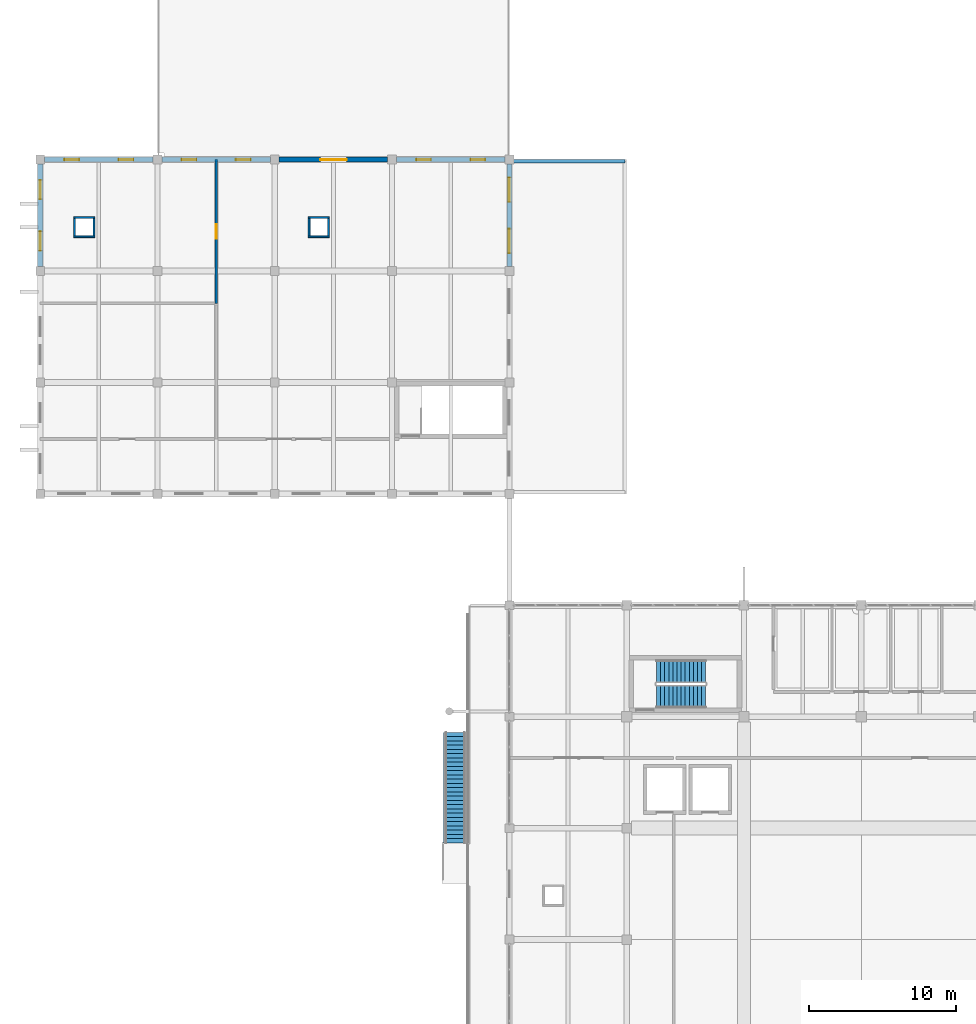
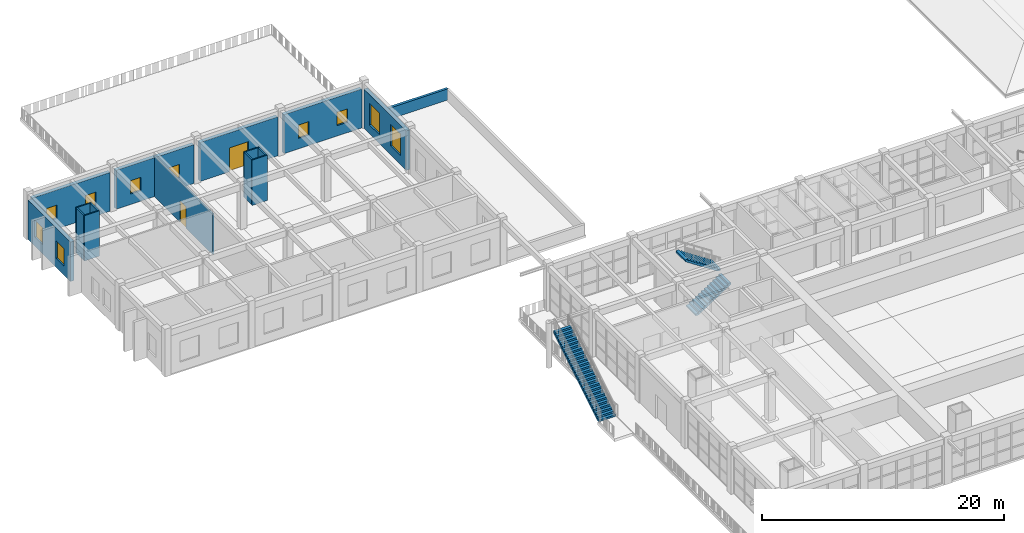
# One storey, part 39 of 50: 16 walls, 10 windows, 3 stair flights, 2 doors, 12 openings, 2 elements without a shape of their own.
"""IFC4 building model written with IfcOpenShell, lengths in metres."""

from ifc_helpers import new_model, si_unit, direction, frame, frame_2d, origin, place, context, subcontext, project, spatial, polyline, rectangle, outline, extrude, material, layer, layer_set, type_object, element, fill, aggregate, save


model = new_model("IFC4")

# Units and contexts
model_context = context("Model", 3, precision=1e-05, world=origin(), true_north=direction((0.0, 1.0)))
body_context = subcontext(model_context, "Body", "Model", "MODEL_VIEW")
ifc_project = project(units=[si_unit("LENGTHUNIT", "METRE"), si_unit("AREAUNIT", "SQUARE_METRE"), si_unit("VOLUMEUNIT", "CUBIC_METRE"), si_unit("PLANEANGLEUNIT", "RADIAN"), si_unit("MASSUNIT", "GRAM", prefix="KILO")], contexts=[model_context])

# Site, building, storey
site_placement = place(None, origin())
site = spatial("IfcSite", under=ifc_project, at=site_placement, CompositionType="ELEMENT")
building_placement = place(site_placement, origin())
building = spatial("IfcBuilding", under=site, at=building_placement, Name="Zantavel Square City Hall", CompositionType="ELEMENT")
storey_placement = place(building_placement, frame((0.0, 0.0, 18.89990234375)))
storey = spatial("IfcBuildingStorey", under=building, at=storey_placement, Name="L05", CompositionType="ELEMENT", Elevation=18.89990234375)

# Wall
ifc_material_1 = material(Name="Cantera volcanic tuff stone", Category="masonry")
ifc_layer_1 = layer(ifc_material_1, 0.239990234375, Name="Cantera volcanic tuff stone")
ifc_layer_set_1 = layer_set([ifc_layer_1], Name="Cantera volcanic tuff stone")
wall_type_1 = type_object("IfcWallType", Name="Cantera Wing Roof Parapet 240mm", PredefinedType="PARAPET", material=ifc_layer_set_1)
wall_1_placement = place(storey_placement, frame((56.1201171875, 98.679931640625, 0.0), z_axis=(0.0, 0.0, 1.0), x_axis=(1.0, 0.0, 0.0)))
element("IfcWall", 1, at=wall_1_placement, inside=storey, type_object=wall_type_1, Name="L05 Roof Parapet Wall 15", PredefinedType="PARAPET", context=body_context, shape_type="SweptSolid", body=[
    extrude(rectangle(XDim=7.759765625, YDim=0.239990234375, at=frame_2d((3.8798828125, 0.0))), origin(), (0.0, 0.0, 1.0), 1.1201171875),
])

# Wall, openings, windows
ifc_layer_2 = layer(ifc_material_1, 0.360107421875, Name="Cantera volcanic tuff stone")
ifc_layer_set_2 = layer_set([ifc_layer_2], Name="Cantera volcanic tuff stone")
wall_type_2 = type_object("IfcWallType", Name="Courtyard Cantera Facade Wall 360mm", PredefinedType="STANDARD", material=ifc_layer_set_2)
wall_2_placement = place(storey_placement, frame((56.0, 98.5, 0.0), z_axis=(0.0, 0.0, 1.0), x_axis=(0.0, -1.0, 0.0)))
wall_2 = element("IfcWall", 2, at=wall_2_placement, inside=storey, type_object=wall_type_2, Name="L05 Exterior Wall EW-L05-027", PredefinedType="STANDARD", context=body_context, shape_type="SweptSolid", body=[
    extrude(rectangle(XDim=7.0, YDim=0.360107421875, at=frame_2d((3.5, 0.0))), origin(), (0.0, 0.0, 1.0), 3.97021484375),
])
opening_1_placement = place(wall_2_placement, frame((0.925048828125, 0.0, 0.89990234375)))
opening_1 = element("IfcOpeningElement", 3, at=opening_1_placement, cuts=wall_2, Name="Opening W-508", PredefinedType="OPENING", context=body_context, shape_type="SweptSolid", body=[
    extrude(rectangle(XDim=1.64990234375, YDim=2.199951171875, at=frame_2d((0.824951171875, 1.10009765625))), frame((0.0, 0.18994140625, 0.0), z_axis=(0.0, -1.0, 0.0), x_axis=(1.0, 0.0, 0.0)), (0.0, 0.0, 1.0), 0.380126953125),
])
opening_2_placement = place(wall_2_placement, frame((4.425048828125, 0.0, 0.89990234375)))
opening_2 = element("IfcOpeningElement", 4, at=opening_2_placement, cuts=wall_2, Name="Opening W-509", PredefinedType="OPENING", context=body_context, shape_type="SweptSolid", body=[
    extrude(rectangle(XDim=1.64990234375, YDim=2.199951171875, at=frame_2d((0.824951171875, 1.10009765625))), frame((0.0, 0.18994140625, 0.0), z_axis=(0.0, -1.0, 0.0), x_axis=(1.0, 0.0, 0.0)), (0.0, 0.0, 1.0), 0.380126953125),
])
ifc_material_2 = material(Name="Tempered safety glass low-E double glazing", Category="glass")
window_type_1 = type_object("IfcWindowType", Name="Window Council Lounge 1650x2200", PartitioningType="DOUBLE_PANEL_VERTICAL", PredefinedType="WINDOW", material=ifc_material_2)
window_1_placement = place(opening_1_placement, origin())
window_1 = element("IfcWindow", 5, at=window_1_placement, inside=storey, type_object=window_type_1, Name="L05 Window W-508", OverallHeight=2.199951171875, OverallWidth=1.64990234375, PartitioningType="DOUBLE_PANEL_VERTICAL", PredefinedType="WINDOW", context=body_context, shape_type="SweptSolid", body=[
    extrude(rectangle(XDim=1.64990234375, YDim=2.199951171875, at=frame_2d((0.824951171875, 1.10009765625))), frame((0.0, 0.030029296875, 0.0), z_axis=(0.0, -1.0, 0.0), x_axis=(1.0, 0.0, 0.0)), (0.0, 0.0, 1.0), 0.06005859375),
])
fill(opening_1, window_1)
window_2_placement = place(opening_2_placement, origin())
window_2 = element("IfcWindow", 6, at=window_2_placement, inside=storey, type_object=window_type_1, Name="L05 Window W-509", OverallHeight=2.199951171875, OverallWidth=1.64990234375, PartitioningType="DOUBLE_PANEL_VERTICAL", PredefinedType="WINDOW", context=body_context, shape_type="SweptSolid", body=[
    extrude(rectangle(XDim=1.64990234375, YDim=2.199951171875, at=frame_2d((0.824951171875, 1.10009765625))), frame((0.0, 0.030029296875, 0.0), z_axis=(0.0, -1.0, 0.0), x_axis=(1.0, 0.0, 0.0)), (0.0, 0.0, 1.0), 0.06005859375),
])
fill(opening_2, window_2)

wall_3_placement = place(storey_placement, frame((24.0, 91.5, 0.0), z_axis=(0.0, 0.0, 1.0), x_axis=(0.0, 1.0, 0.0)))
wall_3 = element("IfcWall", 7, at=wall_3_placement, inside=storey, type_object=wall_type_2, Name="L05 Exterior Wall EW-L05-036", PredefinedType="STANDARD", context=body_context, shape_type="SweptSolid", body=[
    extrude(rectangle(XDim=7.0, YDim=0.360107421875, at=frame_2d((3.5, 0.0))), origin(), (0.0, 0.0, 1.0), 3.97021484375),
])
opening_3_placement = place(wall_3_placement, frame((1.10009765625, 0.0, 0.89990234375)))
opening_3 = element("IfcOpeningElement", 8, at=opening_3_placement, cuts=wall_3, Name="Opening W-526", PredefinedType="OPENING", context=body_context, shape_type="SweptSolid", body=[
    extrude(rectangle(XDim=1.300048828125, YDim=1.75, at=frame_2d((0.64990234375, 0.875))), frame((0.0, 0.18994140625, 0.0), z_axis=(0.0, -1.0, 0.0), x_axis=(1.0, 0.0, 0.0)), (0.0, 0.0, 1.0), 0.380126953125),
])
opening_4_placement = place(wall_3_placement, frame((4.60009765625, 0.0, 0.89990234375)))
opening_4 = element("IfcOpeningElement", 9, at=opening_4_placement, cuts=wall_3, Name="Opening W-527", PredefinedType="OPENING", context=body_context, shape_type="SweptSolid", body=[
    extrude(rectangle(XDim=1.300048828125, YDim=1.75, at=frame_2d((0.64990234375, 0.875))), frame((0.0, 0.18994140625, 0.0), z_axis=(0.0, -1.0, 0.0), x_axis=(1.0, 0.0, 0.0)), (0.0, 0.0, 1.0), 0.380126953125),
])
window_type_2 = type_object("IfcWindowType", Name="Window Social Welfare 1300x1750", PartitioningType="SINGLE_PANEL", PredefinedType="WINDOW", material=ifc_material_2)
window_3_placement = place(opening_3_placement, origin())
window_3 = element("IfcWindow", 10, at=window_3_placement, inside=storey, type_object=window_type_2, Name="L05 Window W-526", OverallHeight=1.75, OverallWidth=1.300048828125, PartitioningType="SINGLE_PANEL", PredefinedType="WINDOW", context=body_context, shape_type="SweptSolid", body=[
    extrude(rectangle(XDim=1.300048828125, YDim=1.75, at=frame_2d((0.64990234375, 0.875))), frame((0.0, 0.030029296875, 0.0), z_axis=(0.0, -1.0, 0.0), x_axis=(1.0, 0.0, 0.0)), (0.0, 0.0, 1.0), 0.06005859375),
])
fill(opening_3, window_3)
window_4_placement = place(opening_4_placement, origin())
window_4 = element("IfcWindow", 11, at=window_4_placement, inside=storey, type_object=window_type_2, Name="L05 Window W-527", OverallHeight=1.75, OverallWidth=1.300048828125, PartitioningType="SINGLE_PANEL", PredefinedType="WINDOW", context=body_context, shape_type="SweptSolid", body=[
    extrude(rectangle(XDim=1.300048828125, YDim=1.75, at=frame_2d((0.64990234375, 0.875))), frame((0.0, 0.030029296875, 0.0), z_axis=(0.0, -1.0, 0.0), x_axis=(1.0, 0.0, 0.0)), (0.0, 0.0, 1.0), 0.06005859375),
])
fill(opening_4, window_4)

# Wall, opening, door
ifc_material_3 = material(Name="Gypsum acoustic stud assembly", Category="masonry")
ifc_layer_3 = layer(ifc_material_3, 0.14990234375, Name="Gypsum acoustic stud assembly")
ifc_layer_set_3 = layer_set([ifc_layer_3], Name="Gypsum acoustic stud assembly")
wall_type_3 = type_object("IfcWallType", Name="Department Office Partition 150mm", PredefinedType="PARTITIONING", material=ifc_layer_set_3)
wall_4_placement = place(storey_placement, frame((36.0, 89.0, 0.0), z_axis=(0.0, 0.0, 1.0), x_axis=(0.0, 1.0, 0.0)))
wall_4 = element("IfcWall", 12, at=wall_4_placement, inside=storey, type_object=wall_type_3, Name="L05 Interior Wall IW-L05-0342", PredefinedType="PARTITIONING", context=body_context, shape_type="SweptSolid", body=[
    extrude(rectangle(XDim=9.800048828125, YDim=0.14990234375, at=frame_2d((4.89990234375, 0.0))), origin(), (0.0, 0.0, 1.0), 4.070068359375),
])
opening_5_placement = place(wall_4_placement, frame((4.39990234375, 0.0, 0.0)))
opening_5 = element("IfcOpeningElement", 13, at=opening_5_placement, cuts=wall_4, Name="Opening D-0169", PredefinedType="OPENING", context=body_context, shape_type="SweptSolid", body=[
    extrude(rectangle(XDim=1.0, YDim=2.14990234375, at=frame_2d((0.5, 1.074951171875))), frame((0.0, 0.0849609375, 0.0), z_axis=(0.0, -1.0, 0.0), x_axis=(1.0, 0.0, 0.0)), (0.0, 0.0, 1.0), 0.169921875),
])
ifc_material_4 = material(Name="Solid oak hardwood", Category="wood")
door_type_1 = type_object("IfcDoorType", Name="Suite Internal Oak Single Door 1000x2150", OperationType="NOTDEFINED", PredefinedType="DOOR", material=ifc_material_4)
door_1_placement = place(opening_5_placement, origin())
door_1 = element("IfcDoor", 14, at=door_1_placement, inside=storey, type_object=door_type_1, Name="L05 Staff Servery Kitchen Door", OperationType="SINGLE_SWING_LEFT", OverallHeight=2.14990234375, OverallWidth=1.0, PredefinedType="DOOR", context=body_context, shape_type="SweptSolid", body=[
    extrude(rectangle(XDim=1.0, YDim=2.14990234375, at=frame_2d((0.5, 1.074951171875))), frame((0.0, 0.02490234375, 0.0), z_axis=(0.0, -1.0, 0.0), x_axis=(1.0, 0.0, 0.0)), (0.0, 0.0, 1.0), 0.050048828125),
])
fill(opening_5, door_1)

ifc_layer_4 = layer(ifc_material_1, 0.340087890625, Name="Cantera volcanic tuff stone")
ifc_layer_set_4 = layer_set([ifc_layer_4], Name="Cantera volcanic tuff stone")
wall_type_4 = type_object("IfcWallType", Name="North Insulated Cantera Wall 340mm", PredefinedType="STANDARD", material=ifc_layer_set_4)
wall_5_placement = place(storey_placement, frame((40.300048828125, 98.800048828125, 0.0), z_axis=(0.0, 0.0, 1.0), x_axis=(1.0, 0.0, 0.0)))
wall_5 = element("IfcWall", 15, at=wall_5_placement, inside=storey, type_object=wall_type_4, Name="L05 Exterior Wall EW-L05-025", PredefinedType="STANDARD", context=body_context, shape_type="SweptSolid", body=[
    extrude(rectangle(XDim=7.39990234375, YDim=0.340087890625, at=frame_2d((3.699951171875, 0.0))), origin(), (0.0, 0.0, 1.0), 3.920166015625),
])
opening_6_placement = place(wall_5_placement, frame((2.800048828125, 0.0, 0.0)))
opening_6 = element("IfcOpeningElement", 16, at=opening_6_placement, cuts=wall_5, Name="Opening ED-034", PredefinedType="OPENING", context=body_context, shape_type="SweptSolid", body=[
    extrude(rectangle(XDim=1.800048828125, YDim=2.39990234375, at=frame_2d((0.89990234375, 1.199951171875))), frame((0.0, 0.179931640625, 0.0), z_axis=(0.0, -1.0, 0.0), x_axis=(1.0, 0.0, 0.0)), (0.0, 0.0, 1.0), 0.360107421875),
])
ifc_material_5 = material(Name="Anodised aluminium 6063-T6", Category="aluminium")
door_type_2 = type_object("IfcDoorType", Name="Tray Terrace Glazed Double Door 1800x2400", OperationType="NOTDEFINED", PredefinedType="DOOR", material=ifc_material_5)
door_2_placement = place(opening_6_placement, origin())
door_2 = element("IfcDoor", 17, at=door_2_placement, inside=storey, type_object=door_type_2, Name="L05 Staff Dining Outdoor Terrace Door", OperationType="DOUBLE_DOOR_SINGLE_SWING", OverallHeight=2.39990234375, OverallWidth=1.800048828125, PredefinedType="DOOR", context=body_context, shape_type="SweptSolid", body=[
    extrude(rectangle(XDim=1.800048828125, YDim=2.39990234375, at=frame_2d((0.89990234375, 1.199951171875))), frame((0.0, 0.02490234375, 0.0), z_axis=(0.0, -1.0, 0.0), x_axis=(1.0, 0.0, 0.0)), (0.0, 0.0, 1.0), 0.050048828125),
])
fill(opening_6, door_2)

# Wall, openings, windows
wall_6_placement = place(storey_placement, frame((48.300048828125, 98.800048828125, 0.0), z_axis=(0.0, 0.0, 1.0), x_axis=(1.0, 0.0, 0.0)))
wall_6 = element("IfcWall", 18, at=wall_6_placement, inside=storey, type_object=wall_type_4, Name="L05 Exterior Wall EW-L05-026", PredefinedType="STANDARD", context=body_context, shape_type="SweptSolid", body=[
    extrude(rectangle(XDim=7.39990234375, YDim=0.340087890625, at=frame_2d((3.699951171875, 0.0))), origin(), (0.0, 0.0, 1.0), 3.920166015625),
])
opening_7_placement = place(wall_6_placement, frame((1.35009765625, 0.0, 1.050048828125)))
opening_7 = element("IfcOpeningElement", 19, at=opening_7_placement, cuts=wall_6, Name="Opening W-506", PredefinedType="OPENING", context=body_context, shape_type="SweptSolid", body=[
    extrude(rectangle(XDim=1.0, YDim=1.35009765625, at=frame_2d((0.5, 0.675048828125))), frame((0.0, 0.179931640625, 0.0), z_axis=(0.0, -1.0, 0.0), x_axis=(1.0, 0.0, 0.0)), (0.0, 0.0, 1.0), 0.360107421875),
])
opening_8_placement = place(wall_6_placement, frame((5.050048828125, 0.0, 1.050048828125)))
opening_8 = element("IfcOpeningElement", 20, at=opening_8_placement, cuts=wall_6, Name="Opening W-507", PredefinedType="OPENING", context=body_context, shape_type="SweptSolid", body=[
    extrude(rectangle(XDim=1.0, YDim=1.35009765625, at=frame_2d((0.5, 0.675048828125))), frame((0.0, 0.179931640625, 0.0), z_axis=(0.0, -1.0, 0.0), x_axis=(1.0, 0.0, 0.0)), (0.0, 0.0, 1.0), 0.360107421875),
])
window_type_3 = type_object("IfcWindowType", Name="Window L05 North Compact 1000x1350", PartitioningType="SINGLE_PANEL", PredefinedType="WINDOW", material=ifc_material_2)
window_5_placement = place(opening_7_placement, origin())
window_5 = element("IfcWindow", 21, at=window_5_placement, inside=storey, type_object=window_type_3, Name="L05 Window W-506", OverallHeight=1.35009765625, OverallWidth=1.0, PartitioningType="SINGLE_PANEL", PredefinedType="WINDOW", context=body_context, shape_type="SweptSolid", body=[
    extrude(rectangle(XDim=1.0, YDim=1.35009765625, at=frame_2d((0.5, 0.675048828125))), frame((0.0, 0.030029296875, 0.0), z_axis=(0.0, -1.0, 0.0), x_axis=(1.0, 0.0, 0.0)), (0.0, 0.0, 1.0), 0.06005859375),
])
fill(opening_7, window_5)
window_6_placement = place(opening_8_placement, origin())
window_6 = element("IfcWindow", 22, at=window_6_placement, inside=storey, type_object=window_type_3, Name="L05 Window W-507", OverallHeight=1.35009765625, OverallWidth=1.0, PartitioningType="SINGLE_PANEL", PredefinedType="WINDOW", context=body_context, shape_type="SweptSolid", body=[
    extrude(rectangle(XDim=1.0, YDim=1.35009765625, at=frame_2d((0.5, 0.675048828125))), frame((0.0, 0.030029296875, 0.0), z_axis=(0.0, -1.0, 0.0), x_axis=(1.0, 0.0, 0.0)), (0.0, 0.0, 1.0), 0.06005859375),
])
fill(opening_8, window_6)

wall_7_placement = place(storey_placement, frame((24.300048828125, 98.800048828125, 0.0), z_axis=(0.0, 0.0, 1.0), x_axis=(1.0, 0.0, 0.0)))
wall_7 = element("IfcWall", 23, at=wall_7_placement, inside=storey, type_object=wall_type_4, Name="L05 Exterior Wall EW-L05-037", PredefinedType="STANDARD", context=body_context, shape_type="SweptSolid", body=[
    extrude(rectangle(XDim=7.39990234375, YDim=0.340087890625, at=frame_2d((3.699951171875, 0.0))), origin(), (0.0, 0.0, 1.0), 3.920166015625),
])
opening_9_placement = place(wall_7_placement, frame((1.35009765625, 0.0, 1.050048828125)))
opening_9 = element("IfcOpeningElement", 24, at=opening_9_placement, cuts=wall_7, Name="Opening W-528", PredefinedType="OPENING", context=body_context, shape_type="SweptSolid", body=[
    extrude(rectangle(XDim=1.0, YDim=1.35009765625, at=frame_2d((0.5, 0.675048828125))), frame((0.0, 0.179931640625, 0.0), z_axis=(0.0, -1.0, 0.0), x_axis=(1.0, 0.0, 0.0)), (0.0, 0.0, 1.0), 0.360107421875),
])
opening_10_placement = place(wall_7_placement, frame((5.050048828125, 0.0, 1.050048828125)))
opening_10 = element("IfcOpeningElement", 25, at=opening_10_placement, cuts=wall_7, Name="Opening W-529", PredefinedType="OPENING", context=body_context, shape_type="SweptSolid", body=[
    extrude(rectangle(XDim=1.0, YDim=1.35009765625, at=frame_2d((0.5, 0.675048828125))), frame((0.0, 0.179931640625, 0.0), z_axis=(0.0, -1.0, 0.0), x_axis=(1.0, 0.0, 0.0)), (0.0, 0.0, 1.0), 0.360107421875),
])
window_7_placement = place(opening_9_placement, origin())
window_7 = element("IfcWindow", 26, at=window_7_placement, inside=storey, type_object=window_type_3, Name="L05 Window W-528", OverallHeight=1.35009765625, OverallWidth=1.0, PartitioningType="SINGLE_PANEL", PredefinedType="WINDOW", context=body_context, shape_type="SweptSolid", body=[
    extrude(rectangle(XDim=1.0, YDim=1.35009765625, at=frame_2d((0.5, 0.675048828125))), frame((0.0, 0.030029296875, 0.0), z_axis=(0.0, -1.0, 0.0), x_axis=(1.0, 0.0, 0.0)), (0.0, 0.0, 1.0), 0.06005859375),
])
fill(opening_9, window_7)
window_8_placement = place(opening_10_placement, origin())
window_8 = element("IfcWindow", 27, at=window_8_placement, inside=storey, type_object=window_type_3, Name="L05 Window W-529", OverallHeight=1.35009765625, OverallWidth=1.0, PartitioningType="SINGLE_PANEL", PredefinedType="WINDOW", context=body_context, shape_type="SweptSolid", body=[
    extrude(rectangle(XDim=1.0, YDim=1.35009765625, at=frame_2d((0.5, 0.675048828125))), frame((0.0, 0.030029296875, 0.0), z_axis=(0.0, -1.0, 0.0), x_axis=(1.0, 0.0, 0.0)), (0.0, 0.0, 1.0), 0.06005859375),
])
fill(opening_10, window_8)

wall_8_placement = place(storey_placement, frame((32.300048828125, 98.800048828125, 0.0), z_axis=(0.0, 0.0, 1.0), x_axis=(1.0, 0.0, 0.0)))
wall_8 = element("IfcWall", 28, at=wall_8_placement, inside=storey, type_object=wall_type_4, Name="L05 Exterior Wall EW-L05-038", PredefinedType="STANDARD", context=body_context, shape_type="SweptSolid", body=[
    extrude(rectangle(XDim=7.39990234375, YDim=0.340087890625, at=frame_2d((3.699951171875, 0.0))), origin(), (0.0, 0.0, 1.0), 3.920166015625),
])
opening_11_placement = place(wall_8_placement, frame((1.35009765625, 0.0, 1.050048828125)))
opening_11 = element("IfcOpeningElement", 29, at=opening_11_placement, cuts=wall_8, Name="Opening W-530", PredefinedType="OPENING", context=body_context, shape_type="SweptSolid", body=[
    extrude(rectangle(XDim=1.0, YDim=1.35009765625, at=frame_2d((0.5, 0.675048828125))), frame((0.0, 0.179931640625, 0.0), z_axis=(0.0, -1.0, 0.0), x_axis=(1.0, 0.0, 0.0)), (0.0, 0.0, 1.0), 0.360107421875),
])
opening_12_placement = place(wall_8_placement, frame((5.050048828125, 0.0, 1.050048828125)))
opening_12 = element("IfcOpeningElement", 30, at=opening_12_placement, cuts=wall_8, Name="Opening W-531", PredefinedType="OPENING", context=body_context, shape_type="SweptSolid", body=[
    extrude(rectangle(XDim=1.0, YDim=1.35009765625, at=frame_2d((0.5, 0.675048828125))), frame((0.0, 0.179931640625, 0.0), z_axis=(0.0, -1.0, 0.0), x_axis=(1.0, 0.0, 0.0)), (0.0, 0.0, 1.0), 0.360107421875),
])
window_9_placement = place(opening_11_placement, origin())
window_9 = element("IfcWindow", 31, at=window_9_placement, inside=storey, type_object=window_type_3, Name="L05 Window W-530", OverallHeight=1.35009765625, OverallWidth=1.0, PartitioningType="SINGLE_PANEL", PredefinedType="WINDOW", context=body_context, shape_type="SweptSolid", body=[
    extrude(rectangle(XDim=1.0, YDim=1.35009765625, at=frame_2d((0.5, 0.675048828125))), frame((0.0, 0.030029296875, 0.0), z_axis=(0.0, -1.0, 0.0), x_axis=(1.0, 0.0, 0.0)), (0.0, 0.0, 1.0), 0.06005859375),
])
fill(opening_11, window_9)
window_10_placement = place(opening_12_placement, origin())
window_10 = element("IfcWindow", 32, at=window_10_placement, inside=storey, type_object=window_type_3, Name="L05 Window W-531", OverallHeight=1.35009765625, OverallWidth=1.0, PartitioningType="SINGLE_PANEL", PredefinedType="WINDOW", context=body_context, shape_type="SweptSolid", body=[
    extrude(rectangle(XDim=1.0, YDim=1.35009765625, at=frame_2d((0.5, 0.675048828125))), frame((0.0, 0.030029296875, 0.0), z_axis=(0.0, -1.0, 0.0), x_axis=(1.0, 0.0, 0.0)), (0.0, 0.0, 1.0), 0.06005859375),
])
fill(opening_12, window_10)

# Walls
ifc_material_6 = material(Name="Concrete C35/45", Category="concrete")
ifc_layer_5 = layer(ifc_material_6, 0.1201171875, Name="Concrete C35/45")
ifc_layer_set_5 = layer_set([ifc_layer_5], Name="Concrete C35/45")
wall_type_5 = type_object("IfcWallType", Name="Riser Chase Wall RC 120mm C35/45", PredefinedType="PARTITIONING", material=ifc_layer_set_5)
wall_9_placement = place(storey_placement, frame((27.719970703125, 93.5400390625, 0.0), z_axis=(0.0, 0.0, 1.0), x_axis=(-1.0, 0.0, 0.0)))
element("IfcWall", 33, at=wall_9_placement, inside=storey, type_object=wall_type_5, Name="L05 MEP Riser 06 Wall S", PredefinedType="PARTITIONING", context=body_context, shape_type="SweptSolid", body=[
    extrude(rectangle(XDim=1.43994140625, YDim=0.1201171875, at=frame_2d((0.719970703125, 0.0))), origin(), (0.0, 0.0, 1.0), 4.570068359375),
])
wall_10_placement = place(storey_placement, frame((26.340087890625, 93.60009765625, 0.0), z_axis=(0.0, 0.0, 1.0), x_axis=(0.0, 1.0, 0.0)))
element("IfcWall", 34, at=wall_10_placement, inside=storey, type_object=wall_type_5, Name="L05 MEP Riser 06 Wall W", PredefinedType="PARTITIONING", context=body_context, shape_type="SweptSolid", body=[
    extrude(rectangle(XDim=1.199951171875, YDim=0.1201171875, at=frame_2d((0.60009765625, 0.0))), origin(), (0.0, 0.0, 1.0), 4.570068359375),
])
wall_11_placement = place(storey_placement, frame((26.280029296875, 94.860107421875, 0.0), z_axis=(0.0, 0.0, 1.0), x_axis=(1.0, 0.0, 0.0)))
element("IfcWall", 35, at=wall_11_placement, inside=storey, type_object=wall_type_5, Name="L05 MEP Riser 06 Wall N", PredefinedType="PARTITIONING", context=body_context, shape_type="SweptSolid", body=[
    extrude(rectangle(XDim=1.43994140625, YDim=0.1201171875, at=frame_2d((0.719970703125, 0.0))), origin(), (0.0, 0.0, 1.0), 4.570068359375),
])
wall_12_placement = place(storey_placement, frame((27.659912109375, 94.800048828125, 0.0), z_axis=(0.0, 0.0, 1.0), x_axis=(0.0, -1.0, 0.0)))
element("IfcWall", 36, at=wall_12_placement, inside=storey, type_object=wall_type_5, Name="L05 MEP Riser 06 Wall E", PredefinedType="PARTITIONING", context=body_context, shape_type="SweptSolid", body=[
    extrude(rectangle(XDim=1.199951171875, YDim=0.1201171875, at=frame_2d((0.60009765625, 0.0))), origin(), (0.0, 0.0, 1.0), 4.570068359375),
])
wall_13_placement = place(storey_placement, frame((43.719970703125, 93.5400390625, 0.0), z_axis=(0.0, 0.0, 1.0), x_axis=(-1.0, 0.0, 0.0)))
element("IfcWall", 37, at=wall_13_placement, inside=storey, type_object=wall_type_5, Name="L05 MEP Riser 07 Wall S", PredefinedType="PARTITIONING", context=body_context, shape_type="SweptSolid", body=[
    extrude(rectangle(XDim=1.43994140625, YDim=0.1201171875, at=frame_2d((0.719970703125, 0.0))), origin(), (0.0, 0.0, 1.0), 4.570068359375),
])
wall_14_placement = place(storey_placement, frame((42.340087890625, 93.60009765625, 0.0), z_axis=(0.0, 0.0, 1.0), x_axis=(0.0, 1.0, 0.0)))
element("IfcWall", 38, at=wall_14_placement, inside=storey, type_object=wall_type_5, Name="L05 MEP Riser 07 Wall W", PredefinedType="PARTITIONING", context=body_context, shape_type="SweptSolid", body=[
    extrude(rectangle(XDim=1.199951171875, YDim=0.1201171875, at=frame_2d((0.60009765625, 0.0))), origin(), (0.0, 0.0, 1.0), 4.570068359375),
])
wall_15_placement = place(storey_placement, frame((42.280029296875, 94.860107421875, 0.0), z_axis=(0.0, 0.0, 1.0), x_axis=(1.0, 0.0, 0.0)))
element("IfcWall", 39, at=wall_15_placement, inside=storey, type_object=wall_type_5, Name="L05 MEP Riser 07 Wall N", PredefinedType="PARTITIONING", context=body_context, shape_type="SweptSolid", body=[
    extrude(rectangle(XDim=1.43994140625, YDim=0.1201171875, at=frame_2d((0.719970703125, 0.0))), origin(), (0.0, 0.0, 1.0), 4.570068359375),
])
wall_16_placement = place(storey_placement, frame((43.659912109375, 94.800048828125, 0.0), z_axis=(0.0, 0.0, 1.0), x_axis=(0.0, -1.0, 0.0)))
element("IfcWall", 40, at=wall_16_placement, inside=storey, type_object=wall_type_5, Name="L05 MEP Riser 07 Wall E", PredefinedType="PARTITIONING", context=body_context, shape_type="SweptSolid", body=[
    extrude(rectangle(XDim=1.199951171875, YDim=0.1201171875, at=frame_2d((0.60009765625, 0.0))), origin(), (0.0, 0.0, 1.0), 4.570068359375),
])

# Stair, stair flights
stair_type_1 = type_object("IfcStairType", Name="Enclosed Core Dogleg Stair L05 H4800", PredefinedType="HALF_TURN_STAIR", material=ifc_material_6)
stair_1_placement = place(storey_placement, origin())
stair_1 = element("IfcStair", 41, at=stair_1_placement, inside=storey, type_object=stair_type_1, Name="L05 Exit Stair 5 Central West Core", PredefinedType="HALF_TURN_STAIR")
stair_flight_type_1 = type_object("IfcStairFlightType", Name="Enclosed Core Stair Flight L05 W1560", PredefinedType="STRAIGHT", material=ifc_material_6)
stair_flight_1_placement = place(storey_placement, frame((66.030029296875, 62.179931640625, 0.0), z_axis=(0.0, 0.0, 1.0), x_axis=(1.0, 0.0, 0.0)))
stair_flight_1 = element("IfcStairFlight", 42, at=stair_flight_1_placement, type_object=stair_flight_type_1, Name="ST5 flight 1", NumberOfRisers=13, NumberOfTreads=12, PredefinedType="STRAIGHT", RiserHeight=0.184615385, TreadLength=0.28, context=body_context, shape_type="SweptSolid", body=[
    extrude(outline(polyline([(0.0, 0.0), (0.0, 0.1845703125), (0.280029296875, 0.1845703125), (0.280029296875, 0.369140625), (0.56005859375, 0.369140625), (0.56005859375, 0.553955078125), (0.840087890625, 0.553955078125), (0.840087890625, 0.738525390625), (1.1201171875, 0.738525390625), (1.1201171875, 0.923095703125), (1.39990234375, 0.923095703125), (1.39990234375, 1.107666015625), (1.679931640625, 1.107666015625), (1.679931640625, 1.292236328125), (1.9599609375, 1.292236328125), (1.9599609375, 1.476806640625), (2.239990234375, 1.476806640625), (2.239990234375, 1.66162109375), (2.52001953125, 1.66162109375), (2.52001953125, 1.84619140625), (2.800048828125, 1.84619140625), (2.800048828125, 2.03076171875), (3.080078125, 2.03076171875), (3.080078125, 2.21533203125), (3.360107421875, 2.21533203125), (3.360107421875, 2.39990234375), (3.360107421875, 2.035888671875), (0.272216796875, 0.0), (0.0, 0.0)])), frame((0.0, 0.780029296875, 0.0), z_axis=(0.0, -1.0, 0.0), x_axis=(1.0, 0.0, 0.0)), (0.0, 0.0, 1.0), 1.56005859375),
])
stair_flight_2_placement = place(storey_placement, frame((69.389892578125, 63.889892578125, 2.400146484375), z_axis=(0.0, 0.0, 1.0), x_axis=(-1.0, 0.0, 0.0)))
stair_flight_2 = element("IfcStairFlight", 43, at=stair_flight_2_placement, type_object=stair_flight_type_1, Name="ST5 flight 2", NumberOfRisers=13, NumberOfTreads=12, PredefinedType="STRAIGHT", RiserHeight=0.184615385, TreadLength=0.28, context=body_context, shape_type="SweptSolid", body=[
    extrude(outline(polyline([(0.0, 0.0), (0.0, 0.1845703125), (0.280029296875, 0.1845703125), (0.280029296875, 0.369140625), (0.56005859375, 0.369140625), (0.56005859375, 0.553955078125), (0.840087890625, 0.553955078125), (0.840087890625, 0.738525390625), (1.1201171875, 0.738525390625), (1.1201171875, 0.923095703125), (1.39990234375, 0.923095703125), (1.39990234375, 1.107666015625), (1.679931640625, 1.107666015625), (1.679931640625, 1.292236328125), (1.9599609375, 1.292236328125), (1.9599609375, 1.476806640625), (2.239990234375, 1.476806640625), (2.239990234375, 1.66162109375), (2.52001953125, 1.66162109375), (2.52001953125, 1.84619140625), (2.800048828125, 1.84619140625), (2.800048828125, 2.03076171875), (3.080078125, 2.03076171875), (3.080078125, 2.21533203125), (3.360107421875, 2.21533203125), (3.360107421875, 2.39990234375), (3.360107421875, 2.035888671875), (0.272216796875, 0.0), (0.0, 0.0)])), frame((0.0, 0.780029296875, 0.0), z_axis=(0.0, -1.0, 0.0), x_axis=(1.0, 0.0, 0.0)), (0.0, 0.0, 1.0), 1.56005859375),
])
aggregate(stair_1, [stair_flight_1, stair_flight_2])

# Stair, stair flight
ifc_material_7 = material(Name="Precast concrete C40/50", Category="concrete")
stair_type_2 = type_object("IfcStairType", Name="White Cantera Terrace Stair L05-L06 W1600", PredefinedType="STRAIGHT_RUN_STAIR", material=ifc_material_7)
stair_2_placement = place(storey_placement, origin())
stair_2 = element("IfcStair", 44, at=stair_2_placement, inside=storey, type_object=stair_type_2, Name="Outdoor Cantera Tray Terrace Stair ST-TR6", PredefinedType="STRAIGHT_RUN_STAIR")
stair_flight_type_2 = type_object("IfcStairFlightType", Name="White Cantera Terrace Stair Flight L05-L06 W1600", PredefinedType="STRAIGHT", material=ifc_material_7)
stair_flight_3_placement = place(storey_placement, frame((52.300048828125, 52.199951171875, 0.0), z_axis=(0.0, 0.0, 1.0), x_axis=(0.0, 1.0, 0.0)))
stair_flight_3 = element("IfcStairFlight", 45, at=stair_flight_3_placement, type_object=stair_flight_type_2, Name="Outdoor Terrace Stair ST-TR6 Flight", NumberOfRisers=27, NumberOfTreads=26, PredefinedType="STRAIGHT", RiserHeight=0.177778, TreadLength=0.29, context=body_context, shape_type="SweptSolid", body=[
    extrude(outline(polyline([(0.0, 0.0), (0.0, 0.177734375), (0.2900390625, 0.177734375), (0.2900390625, 0.35546875), (0.580078125, 0.35546875), (0.580078125, 0.533447265625), (0.8701171875, 0.533447265625), (0.8701171875, 0.711181640625), (1.159912109375, 0.711181640625), (1.159912109375, 0.888916015625), (1.449951171875, 0.888916015625), (1.449951171875, 1.066650390625), (1.739990234375, 1.066650390625), (1.739990234375, 1.244384765625), (2.030029296875, 1.244384765625), (2.030029296875, 1.422119140625), (2.320068359375, 1.422119140625), (2.320068359375, 1.60009765625), (2.610107421875, 1.60009765625), (2.610107421875, 1.77783203125), (2.89990234375, 1.77783203125), (2.89990234375, 1.95556640625), (3.18994140625, 1.95556640625), (3.18994140625, 2.13330078125), (3.47998046875, 2.13330078125), (3.47998046875, 2.31103515625), (3.77001953125, 2.31103515625), (3.77001953125, 2.489013671875), (4.06005859375, 2.489013671875), (4.06005859375, 2.666748046875), (4.35009765625, 2.666748046875), (4.35009765625, 2.844482421875), (4.639892578125, 2.844482421875), (4.639892578125, 3.022216796875), (4.929931640625, 3.022216796875), (4.929931640625, 3.199951171875), (5.219970703125, 3.199951171875), (5.219970703125, 3.377685546875), (5.510009765625, 3.377685546875), (5.510009765625, 3.5556640625), (5.800048828125, 3.5556640625), (5.800048828125, 3.7333984375), (6.090087890625, 3.7333984375), (6.090087890625, 3.9111328125), (6.3798828125, 3.9111328125), (6.3798828125, 4.0888671875), (6.669921875, 4.0888671875), (6.669921875, 4.2666015625), (6.9599609375, 4.2666015625), (6.9599609375, 4.4443359375), (7.25, 4.4443359375), (7.25, 4.622314453125), (7.5400390625, 4.622314453125), (7.5400390625, 4.800048828125), (7.5400390625, 4.4111328125), (0.34423828125, 0.0), (0.0, 0.0)])), frame((0.0, 0.800048828125, 0.0), z_axis=(0.0, -1.0, 0.0), x_axis=(1.0, 0.0, 0.0)), (0.0, 0.0, 1.0), 1.60009765625),
])
aggregate(stair_2, [stair_flight_3])

save(model, "model.ifc")
